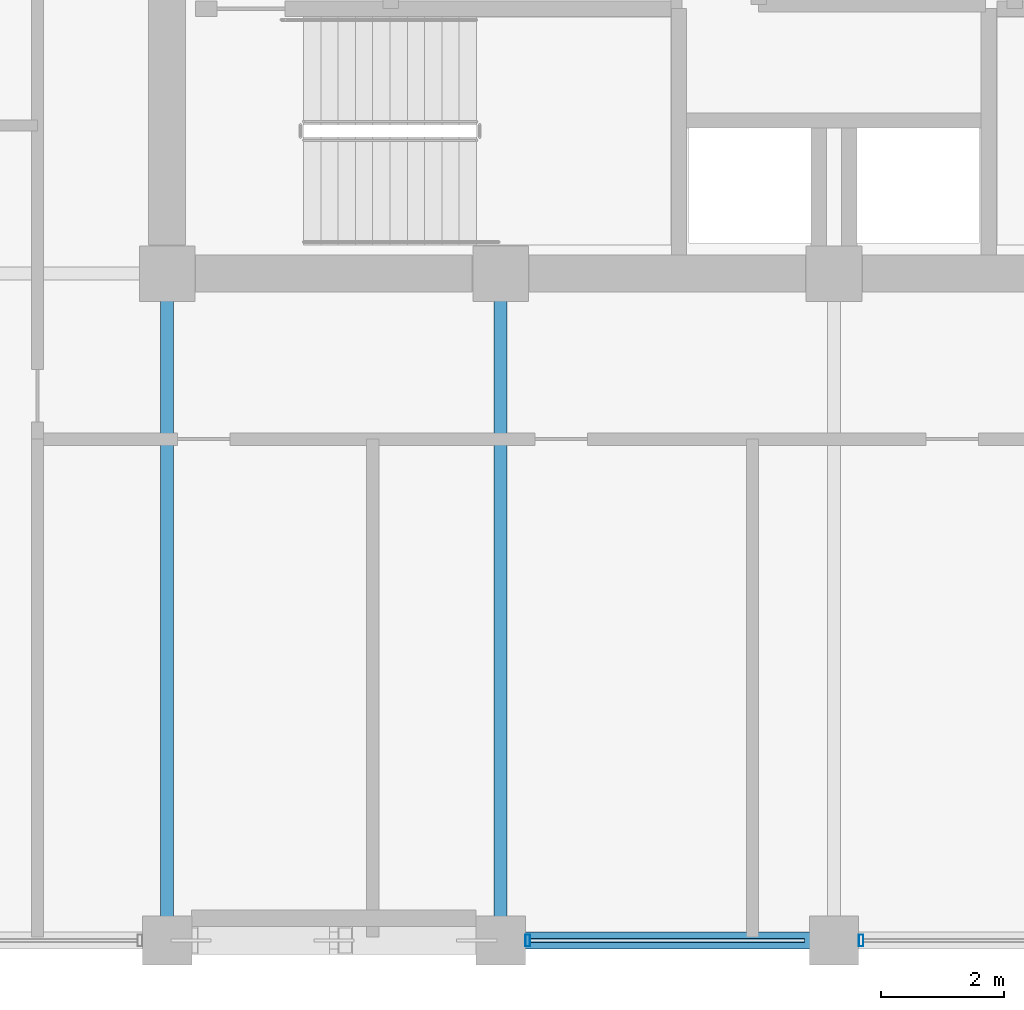
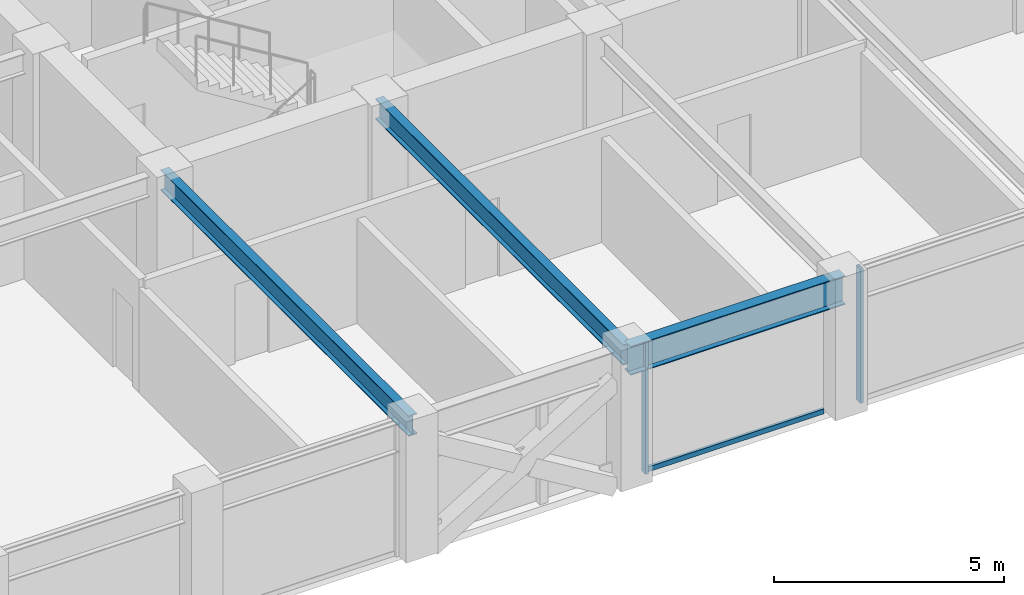
# One storey, part 6 of 32: 3 beams, 3 members, 1 element without a shape of its own.
"""IFC4 building model written with IfcOpenShell, lengths in metres."""

from ifc_helpers import new_model, si_unit, direction, frame, origin, origin_2d, place, context, subcontext, project, spatial, hollow_rectangle, i_section, extrude, material, layer, layer_set, material_profile, profile_set, type_object, element, aggregate, save


model = new_model("IFC4")

# Units and contexts
model_context = context("Model", 3, precision=1e-05, world=origin(), true_north=direction((0.0, 1.0)))
body_context = subcontext(model_context, "Body", "Model", "MODEL_VIEW")
ifc_project = project(units=[si_unit("LENGTHUNIT", "METRE"), si_unit("AREAUNIT", "SQUARE_METRE"), si_unit("VOLUMEUNIT", "CUBIC_METRE"), si_unit("PLANEANGLEUNIT", "RADIAN"), si_unit("MASSUNIT", "GRAM", prefix="KILO")], contexts=[model_context])

# Site, building, storey
site_placement = place(None, origin())
site = spatial("IfcSite", under=ifc_project, at=site_placement, CompositionType="ELEMENT")
building_placement = place(site_placement, origin())
building = spatial("IfcBuilding", under=site, at=building_placement, Name="Surkhivell Harbour Commons", CompositionType="ELEMENT")
storey_placement = place(building_placement, frame((0.0, 0.0, 223.5)))
storey = spatial("IfcBuildingStorey", under=building, at=storey_placement, Name="L58", CompositionType="ELEMENT", Elevation=223.5)

# Beams
ifc_material_1 = material(Name="Steel S355", Category="steel")
ifc_material_profile_1 = material_profile(ifc_material_1, i_section(OverallWidth=0.2119140625, OverallDepth=0.5439453125, WebThickness=0.0126953125, FlangeThickness=0.021240234375, at=origin_2d()), Name="UB533x210x122")
ifc_profile_set_1 = profile_set([ifc_material_profile_1], Name="Steel S355")
beam_type_1 = type_object("IfcBeamType", Name="BM-GRD-533A", PredefinedType="BEAM", material=ifc_profile_set_1)
for number, where, z_axis, x_axis, name in (
    (1, (-10.800048828125, -21.60009765625, 3.298095703125), (0.0, 1.0, 0.0), (-1.0, 0.0, 0.0), "L58 Floor Girder (-10.8,-21.6)"),
    (2, (-5.39990234375, -21.60009765625, 3.298095703125), (0.0, 1.0, 0.0), (-1.0, 0.0, 0.0), "L58 Floor Girder (-5.4,-21.6)"),
):
    element("IfcBeam", number, at=place(storey_placement, frame(where, z_axis=z_axis, x_axis=x_axis)), inside=storey, type_object=beam_type_1, Name=name, PredefinedType="BEAM", context=body_context, shape_type="SweptSolid", body=[
        extrude(i_section(OverallWidth=0.2119140625, OverallDepth=0.5439453125, WebThickness=0.0126953125, FlangeThickness=0.021240234375, at=origin_2d()), origin(), (0.0, 0.0, 1.0), 10.800048828125),
    ])
ifc_material_profile_2 = material_profile(ifc_material_1, i_section(OverallWidth=0.26806640625, OverallDepth=0.77001953125, WebThickness=0.015625, FlangeThickness=0.025390625, at=origin_2d()), Name="UB762x267x197")
ifc_profile_set_2 = profile_set([ifc_material_profile_2], Name="Steel S355")
beam_type_2 = type_object("IfcBeamType", Name="BM-SPN-762", PredefinedType="SPANDREL", material=ifc_profile_set_2)
beam_placement = place(storey_placement, frame((-5.39990234375, -21.60009765625, 3.18505859375), z_axis=(1.0, 0.0, 0.0), x_axis=(0.0, 1.0, 0.0)))
element("IfcBeam", 3, at=beam_placement, inside=storey, type_object=beam_type_2, Name="L58 Tube Spandrel (-5.4,-21.6)", PredefinedType="SPANDREL", context=body_context, shape_type="SweptSolid", body=[
    extrude(i_section(OverallWidth=0.26806640625, OverallDepth=0.77001953125, WebThickness=0.015625, FlangeThickness=0.025390625, at=origin_2d()), origin(), (0.0, 0.0, 1.0), 5.39990234375),
])

# Curtain wall, members
ifc_material_2 = material(Name="Anodised pale-metal aluminium and insulated glazing", Category="aluminium")
ifc_layer = layer(ifc_material_2, 0.18994140625)
ifc_layer_set = layer_set([ifc_layer], Name="Anodised pale-metal aluminium and insulated glazing")
curtain_wall_type = type_object("IfcCurtainWallType", Name="CW-SYS-Z3", PredefinedType="NOTDEFINED", material=ifc_layer_set)
curtain_wall_placement = place(storey_placement, origin())
curtain_wall = element("IfcCurtainWall", 4, at=curtain_wall_placement, inside=storey, type_object=curtain_wall_type, Name="L58 Curtain Wall CW-L58-E00S2", PredefinedType="NOTDEFINED")
ifc_material_3 = material(Name="Anodised pale-metal aluminium alloy 6063-T6", Category="aluminium")
ifc_material_profile_3 = material_profile(ifc_material_3, hollow_rectangle(XDim=0.074951171875, YDim=0.18994140625, WallThickness=0.00390625, at=origin_2d()), Name="ALU-MULL-75x190")
ifc_profile_set_3 = profile_set([ifc_material_profile_3], Name="Anodised pale-metal aluminium alloy 6063-T6")
member_type_1 = type_object("IfcMemberType", Name="CWM-190", PredefinedType="MULLION", material=ifc_profile_set_3)
member_1_placement = place(storey_placement, frame((-4.96044921875, -21.60009765625, 0.0), z_axis=(0.0, 0.0, 1.0), x_axis=(1.0, 0.0, 0.0)))
member_1 = element("IfcMember", 5, at=member_1_placement, type_object=member_type_1, Name="CW-Z3 mullion 1", PredefinedType="MULLION", context=body_context, shape_type="SweptSolid", body=[
    extrude(hollow_rectangle(XDim=0.074951171875, YDim=0.18994140625, WallThickness=0.00390625, at=origin_2d()), origin(), (0.0, 0.0, 1.0), 3.570068359375),
])
member_2_placement = place(storey_placement, frame((0.439453125, -21.60009765625, 0.0), z_axis=(0.0, 0.0, 1.0), x_axis=(1.0, 0.0, 0.0)))
member_2 = element("IfcMember", 6, at=member_2_placement, type_object=member_type_1, Name="CW-Z3 mullion 2", PredefinedType="MULLION", context=body_context, shape_type="SweptSolid", body=[
    extrude(hollow_rectangle(XDim=0.074951171875, YDim=0.18994140625, WallThickness=0.00390625, at=origin_2d()), origin(), (0.0, 0.0, 1.0), 3.570068359375),
])
ifc_material_4 = material(Name="Champagne anodised aluminium alloy 6063-T6", Category="aluminium")
ifc_material_profile_4 = material_profile(ifc_material_4, hollow_rectangle(XDim=0.070068359375, YDim=0.1298828125, WallThickness=0.00341796875, at=origin_2d()), Name="ALU-TRAN-70x130")
ifc_profile_set_4 = profile_set([ifc_material_profile_4], Name="Champagne anodised aluminium alloy 6063-T6")
member_type_2 = type_object("IfcMemberType", Name="CWT-130", PredefinedType="USERDEFINED", material=ifc_profile_set_4)
member_3_placement = place(storey_placement, frame((-4.923095703125, -21.60009765625, 0.06494140625), z_axis=(1.0, 0.0, 0.0), x_axis=(0.0, 1.0, 0.0)))
member_3 = element("IfcMember", 7, at=member_3_placement, type_object=member_type_2, Name="CW-Z3 transom 1.1", ObjectType="TRANSOM", PredefinedType="USERDEFINED", context=body_context, shape_type="SweptSolid", body=[
    extrude(hollow_rectangle(XDim=0.070068359375, YDim=0.1298828125, WallThickness=0.00341796875, at=origin_2d()), origin(), (0.0, 0.0, 1.0), 4.446044921875),
])
aggregate(curtain_wall, [member_1, member_3, member_2])

save(model, "model.ifc")
